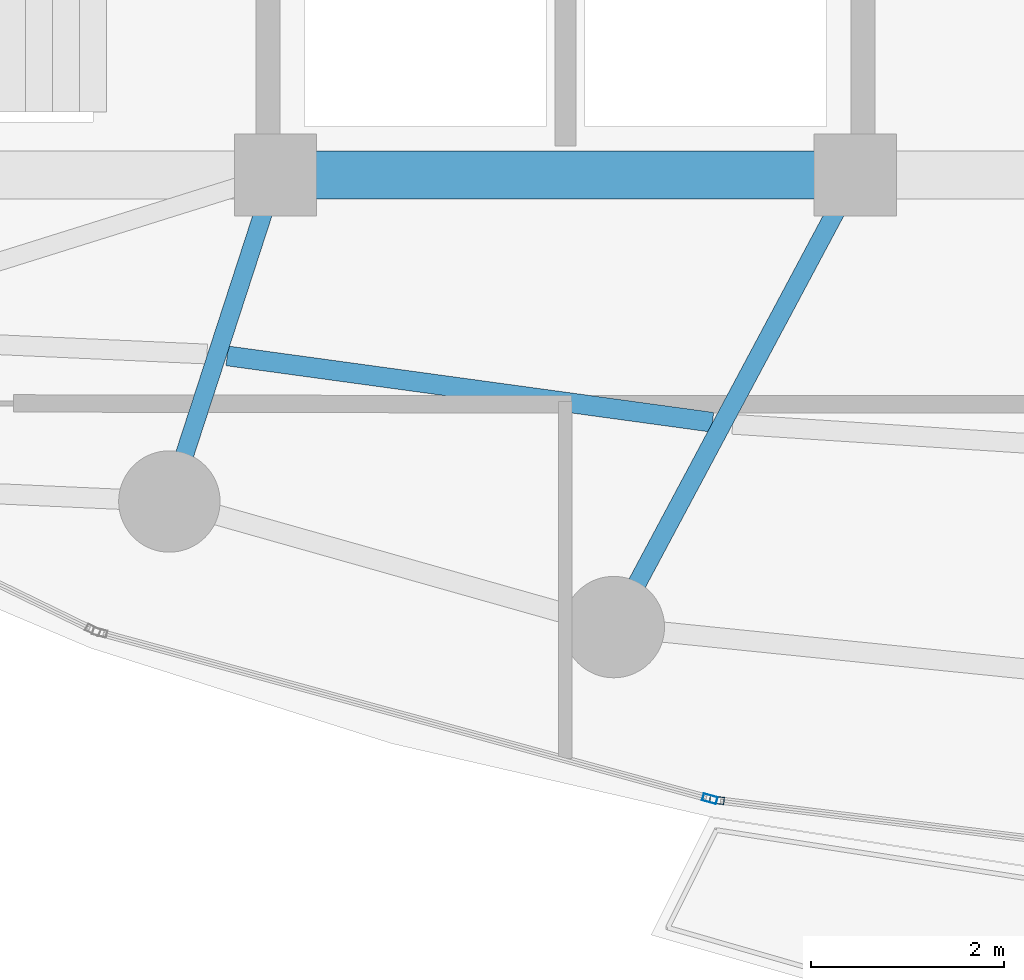
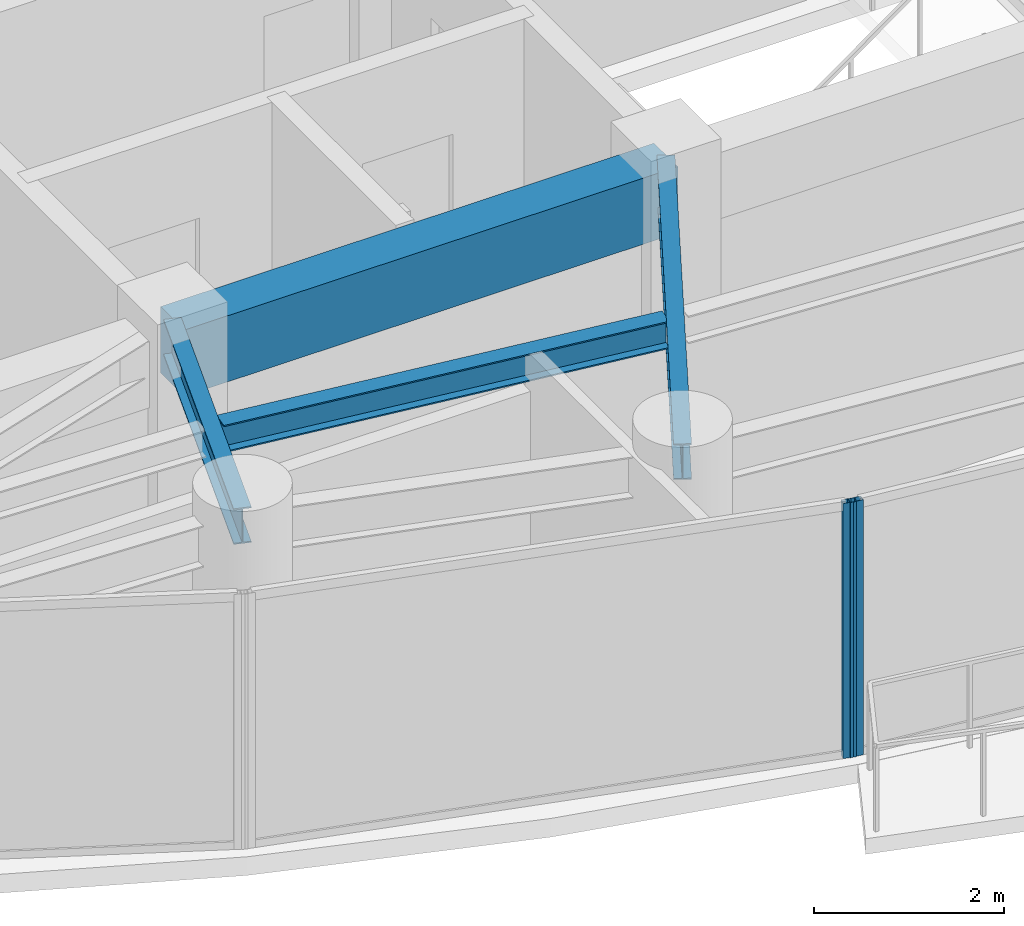
# One storey, part 5 of 31: 4 beams, 2 members, 2 elements without a shape of their own.
"""IFC4 building model written with IfcOpenShell, lengths in metres."""

from ifc_helpers import new_model, si_unit, direction, frame, origin, origin_2d, place, context, subcontext, project, spatial, rectangle, hollow_rectangle, i_section, extrude, material, layer, layer_set, material_profile, profile_set, type_object, element, aggregate, save


model = new_model("IFC4")

# Units and contexts
model_context = context("Model", 3, precision=1e-05, world=origin(), true_north=direction((0.0, 1.0)))
body_context = subcontext(model_context, "Body", "Model", "MODEL_VIEW")
ifc_project = project(units=[si_unit("LENGTHUNIT", "METRE"), si_unit("AREAUNIT", "SQUARE_METRE"), si_unit("VOLUMEUNIT", "CUBIC_METRE"), si_unit("PLANEANGLEUNIT", "RADIAN"), si_unit("MASSUNIT", "GRAM", prefix="KILO")], contexts=[model_context])

# Site, building, storey
site_placement = place(None, origin())
site = spatial("IfcSite", under=ifc_project, at=site_placement, CompositionType="ELEMENT")
building_placement = place(site_placement, origin())
building = spatial("IfcBuilding", under=site, at=building_placement, Name="Kazevale Care Tower and Concert Hall", CompositionType="ELEMENT")
storey_placement = place(building_placement, frame((0.0, 0.0, 187.199951171875)))
storey = spatial("IfcBuildingStorey", under=building, at=storey_placement, Name="L49", CompositionType="ELEMENT", Elevation=187.199951171875)

# Curtain wall, member
ifc_material_1 = material(Name="Aluminium 6063-T6 and Low-E Glass", Category="aluminium")
ifc_layer = layer(ifc_material_1, 0.179931640625)
ifc_layer_set = layer_set([ifc_layer], Name="Aluminium 6063-T6 and Low-E Glass")
curtain_wall_type = type_object("IfcCurtainWallType", Name="Sheltered Concave Balcony Curtain Wall CW-5", PredefinedType="NOTDEFINED", material=ifc_layer_set)
curtain_wall_1_placement = place(storey_placement, origin())
curtain_wall_1 = element("IfcCurtainWall", 1, at=curtain_wall_1_placement, inside=storey, type_object=curtain_wall_type, Name="cw:L49:f07", PredefinedType="NOTDEFINED")
ifc_material_2 = material(Name="Aluminium 6063-T6", Category="aluminium")
ifc_material_profile_1 = material_profile(ifc_material_2, hollow_rectangle(XDim=0.074951171875, YDim=0.14990234375, WallThickness=0.00390625, at=origin_2d()), Name="ALU75x150x4")
ifc_profile_set_1 = profile_set([ifc_material_profile_1], Name="Aluminium 6063-T6")
member_type = type_object("IfcMemberType", Name="CW-5 Mullion ALU75x150x4", PredefinedType="MULLION", material=ifc_profile_set_1)
member_1_placement = place(storey_placement, frame((34.568115234375, 17.12841796875, 0.0), z_axis=(0.0, 0.0, 1.0), x_axis=(-0.121650797964, -0.992572961225, 0.0)))
member_1 = element("IfcMember", 2, at=member_1_placement, type_object=member_type, Name="CW-5 mullion 2", PredefinedType="MULLION", context=body_context, shape_type="SweptSolid", body=[
    extrude(hollow_rectangle(XDim=0.074951171875, YDim=0.14990234375, WallThickness=0.00390625, at=origin_2d()), origin(), (0.0, 0.0, 1.0), 3.280029296875),
])
aggregate(curtain_wall_1, [member_1])

curtain_wall_2_placement = place(storey_placement, origin())
curtain_wall_2 = element("IfcCurtainWall", 3, at=curtain_wall_2_placement, inside=storey, type_object=curtain_wall_type, Name="cw:L49:f08", PredefinedType="NOTDEFINED")
member_2_placement = place(storey_placement, frame((34.494873046875, 17.142822265625, 0.0), z_axis=(0.0, 0.0, 1.0), x_axis=(-0.262848968947, -0.964836991167, 0.0)))
member_2 = element("IfcMember", 4, at=member_2_placement, type_object=member_type, Name="CW-5 mullion 1", PredefinedType="MULLION", context=body_context, shape_type="SweptSolid", body=[
    extrude(hollow_rectangle(XDim=0.074951171875, YDim=0.14990234375, WallThickness=0.00390625, at=origin_2d()), origin(), (0.0, 0.0, 1.0), 3.280029296875),
])
aggregate(curtain_wall_2, [member_2])

# Beams
ifc_material_3 = material(Name="Concrete C60", Category="concrete")
ifc_material_profile_2 = material_profile(ifc_material_3, rectangle(XDim=0.5, YDim=0.85009765625, at=origin_2d()), Name="RC-B500x850")
ifc_profile_set_2 = profile_set([ifc_material_profile_2], Name="Concrete C60")
beam_type_1 = type_object("IfcBeamType", Name="Core Coupling Beam RC500x850", PredefinedType="LINTEL", material=ifc_profile_set_2)
beam_1_placement = place(storey_placement, frame((30.0, 23.60009765625, 2.85498046875), z_axis=(1.0, 0.0, 0.0), x_axis=(0.0, 1.0, 0.0)))
element("IfcBeam", 5, at=beam_1_placement, inside=storey, type_object=beam_type_1, Name="beam:L49:coretie:2", PredefinedType="LINTEL", context=body_context, shape_type="SweptSolid", body=[
    extrude(rectangle(XDim=0.5, YDim=0.85009765625, at=origin_2d()), origin(), (0.0, 0.0, 1.0), 6.0),
])
ifc_material_4 = material(Name="Steel ASTM A572 Gr 50", Category="steel")
ifc_material_profile_3 = material_profile(ifc_material_4, i_section(OverallWidth=0.19091796875, OverallDepth=0.4599609375, WebThickness=0.010009765625, FlangeThickness=0.01611328125, at=origin_2d()), Name="W460x82")
ifc_profile_set_3 = profile_set([ifc_material_profile_3], Name="Steel ASTM A572 Gr 50")
beam_type_2 = type_object("IfcBeamType", Name="Radial Floor Beam W460x82", PredefinedType="BEAM", material=ifc_profile_set_3)
beam_2_placement = place(storey_placement, frame((30.0, 23.60009765625, 3.050048828125), z_axis=(-0.309482065101, -0.950905279921, 0.0), x_axis=(0.950905279921, -0.309482065101, 0.0)))
element("IfcBeam", 6, at=beam_2_placement, inside=storey, type_object=beam_type_2, Name="beam:L49:rad:11", PredefinedType="BEAM", context=body_context, shape_type="SweptSolid", body=[
    extrude(i_section(OverallWidth=0.19091796875, OverallDepth=0.4599609375, WebThickness=0.010009765625, FlangeThickness=0.01611328125, at=origin_2d()), origin(), (0.0, 0.0, 1.0), 3.5546875),
])
beam_3_placement = place(storey_placement, frame((36.0, 23.60009765625, 3.050048828125), z_axis=(-0.471161293943, -0.88204707079, 0.0), x_axis=(0.88204707079, -0.471161293943, 0.0)))
element("IfcBeam", 7, at=beam_3_placement, inside=storey, type_object=beam_type_2, Name="beam:L49:rad:12", PredefinedType="BEAM", context=body_context, shape_type="SweptSolid", body=[
    extrude(i_section(OverallWidth=0.19091796875, OverallDepth=0.4599609375, WebThickness=0.010009765625, FlangeThickness=0.01611328125, at=origin_2d()), origin(), (0.0, 0.0, 1.0), 5.30615234375),
])
ifc_material_profile_4 = material_profile(ifc_material_4, i_section(OverallWidth=0.205078125, OverallDepth=0.35400390625, WebThickness=0.009521484375, FlangeThickness=0.016845703125, at=origin_2d()), Name="W360x79")
ifc_profile_set_4 = profile_set([ifc_material_profile_4], Name="Steel ASTM A572 Gr 50")
beam_type_3 = type_object("IfcBeamType", Name="Secondary Floor Joist W360x79", PredefinedType="JOIST", material=ifc_profile_set_4)
beam_4_placement = place(storey_placement, frame((29.4990234375, 21.72705078125, 3.10302734375), z_axis=(0.990772043119, -0.13553877148, 0.0), x_axis=(0.13553877148, 0.990772043119, 0.0)))
element("IfcBeam", 8, at=beam_4_placement, inside=storey, type_object=beam_type_3, Name="beam:L49:joist:11", PredefinedType="JOIST", context=body_context, shape_type="SweptSolid", body=[
    extrude(i_section(OverallWidth=0.205078125, OverallDepth=0.35400390625, WebThickness=0.009521484375, FlangeThickness=0.016845703125, at=origin_2d()), origin(), (0.0, 0.0, 1.0), 5.06884765625),
])

save(model, "model.ifc")
